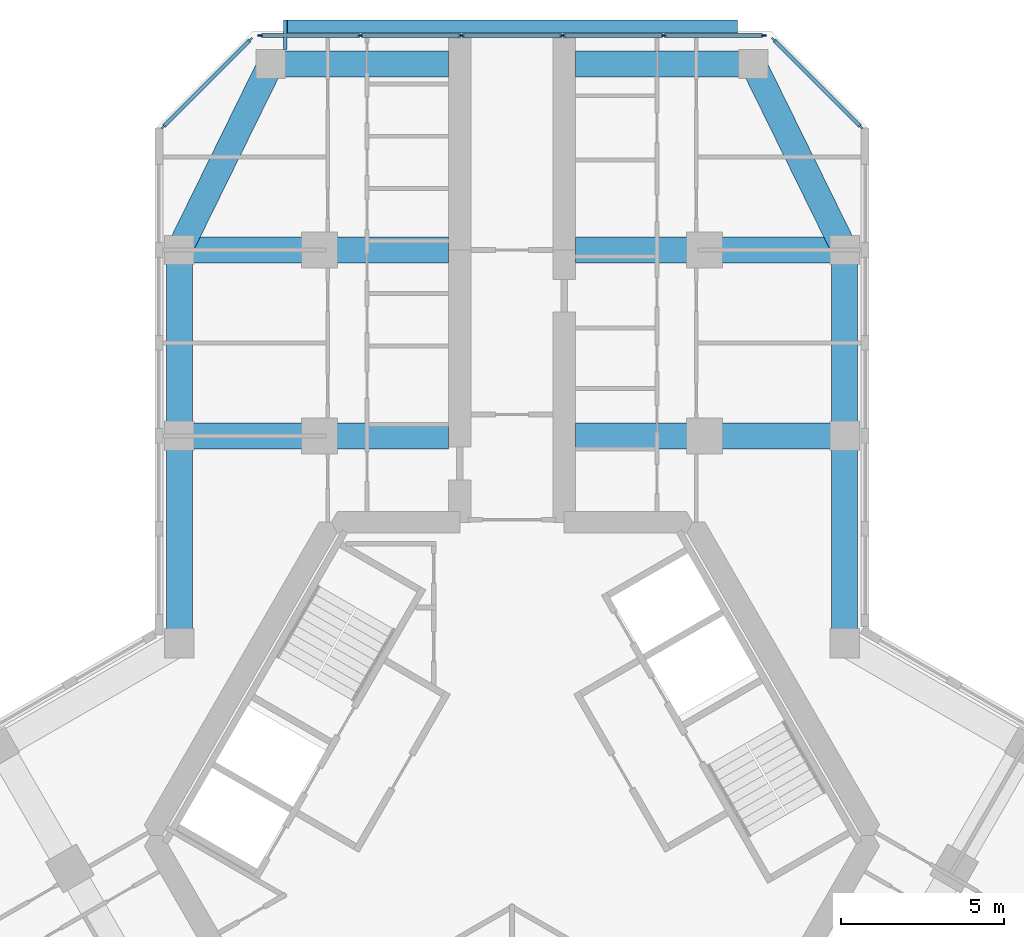
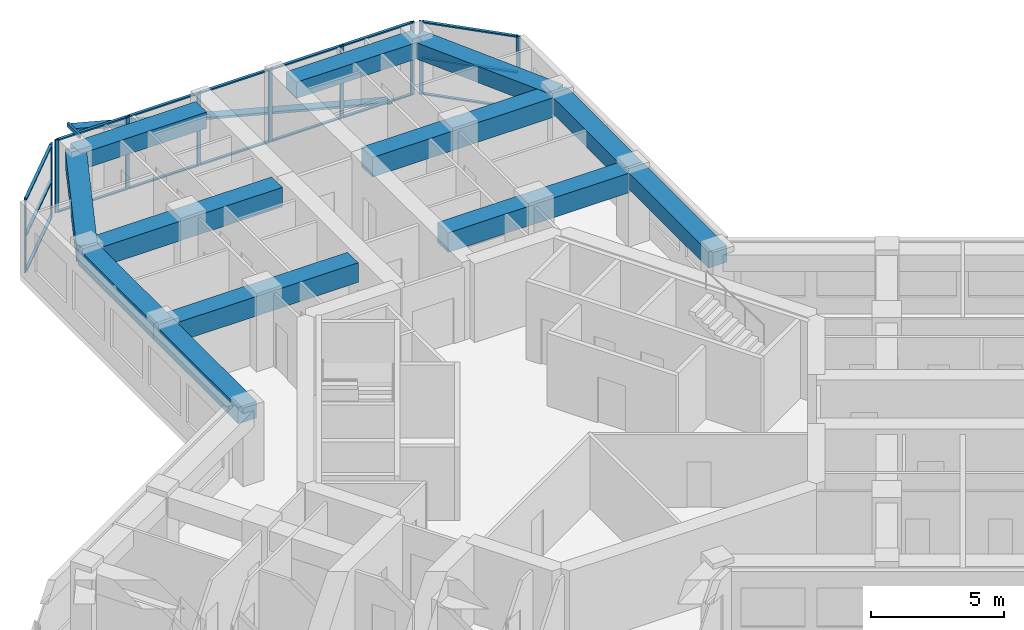
# One storey, part 6 of 16: 28 members, 12 beams, 3 elements without a shape of their own.
"""IFC4 building model written with IfcOpenShell, lengths in metres."""

from ifc_helpers import new_model, si_unit, direction, frame, origin, origin_2d, place, context, subcontext, project, spatial, rectangle, hollow_rectangle, extrude, material, material_profile, profile_set, type_object, element, aggregate, save


model = new_model("IFC4")

# Units and contexts
model_context = context("Model", 3, precision=1e-05, world=origin(), true_north=direction((0.0, 1.0)))
body_context = subcontext(model_context, "Body", "Model", "MODEL_VIEW")
ifc_project = project(units=[si_unit("LENGTHUNIT", "METRE"), si_unit("AREAUNIT", "SQUARE_METRE"), si_unit("VOLUMEUNIT", "CUBIC_METRE"), si_unit("PLANEANGLEUNIT", "RADIAN"), si_unit("MASSUNIT", "GRAM", prefix="KILO")], contexts=[model_context])

# Site, building, storey
site_placement = place(None, origin())
site = spatial("IfcSite", under=ifc_project, at=site_placement, CompositionType="ELEMENT")
building_placement = place(site_placement, origin())
building = spatial("IfcBuilding", under=site, at=building_placement, Name="Kosmar Iwan School Tower", CompositionType="ELEMENT")
storey_placement = place(building_placement, frame((0.0, 0.0, 215.39990234375)))
storey = spatial("IfcBuildingStorey", under=building, at=storey_placement, Name="L54", CompositionType="ELEMENT", Elevation=215.39990234375)

# Members
ifc_material_1 = material(Name="Black anodised aluminium", Category="aluminium")
ifc_material_profile_1 = material_profile(ifc_material_1, rectangle(XDim=0.10009765625, YDim=0.39990234375, at=origin_2d()), Name="FIN 100x400")
ifc_profile_set_1 = profile_set([ifc_material_profile_1], Name="Black anodised aluminium")
member_type_1 = type_object("IfcMemberType", Name="Diagonal fin 100x400", PredefinedType="USERDEFINED", material=ifc_profile_set_1)
member_1_placement = place(storey_placement, frame((6.898193359375, 24.800048828125, -0.14990234375), z_axis=(-0.967599450335, 0.0, 0.252490205179), x_axis=(0.252490205179, 0.0, 0.967599450335)))
element("IfcMember", 1, at=member_1_placement, inside=storey, type_object=member_type_1, Name="Diagonal fin L54-F06", ObjectType="FIN", PredefinedType="USERDEFINED", context=body_context, shape_type="SweptSolid", body=[
    extrude(rectangle(XDim=0.10009765625, YDim=0.39990234375, at=origin_2d()), origin(), (0.0, 0.0, 1.0), 14.25830078125),
])
ifc_material_2 = material(Name="Steel S355", Category="steel")
ifc_material_profile_2 = material_profile(ifc_material_2, hollow_rectangle(XDim=0.10009765625, YDim=0.199951171875, WallThickness=0.008056640625, at=origin_2d()), Name="RHS 200x100x8")
ifc_profile_set_2 = profile_set([ifc_material_profile_2], Name="Steel S355")
member_type_2 = type_object("IfcMemberType", Name="Fin bracket RHS 200x100", PredefinedType="USERDEFINED", material=ifc_profile_set_2)
member_2_placement = place(storey_placement, frame((-6.949951171875, 24.10009765625, 3.47509765625), z_axis=(0.0, 1.0, 0.0), x_axis=(-1.0, 0.0, 0.0)))
element("IfcMember", 2, at=member_2_placement, inside=storey, type_object=member_type_2, Name="Fin bracket L55", ObjectType="FIN BRACKET", PredefinedType="USERDEFINED", context=body_context, shape_type="SweptSolid", body=[
    extrude(hollow_rectangle(XDim=0.10009765625, YDim=0.199951171875, WallThickness=0.008056640625, at=origin_2d()), origin(), (0.0, 0.0, 1.0), 0.89990234375),
])

# Curtain wall, members
ifc_material_3 = material(Name="Dark glass in black aluminium frame", Category="aluminium")
curtain_wall_type_1 = type_object("IfcCurtainWallType", Name="Chamfer curtain wall dark glass", PredefinedType="USERDEFINED", material=ifc_material_3)
curtain_wall_1_placement = place(storey_placement, origin())
curtain_wall_1 = element("IfcCurtainWall", 3, at=curtain_wall_1_placement, inside=storey, type_object=curtain_wall_type_1, Name="Curtain wall L54-F05", ObjectType="FACETED CURTAIN WALL", PredefinedType="USERDEFINED")
ifc_material_4 = material(Name="Black anodised aluminium", Category="aluminium")
ifc_material_profile_3 = material_profile(ifc_material_4, rectangle(XDim=0.06005859375, YDim=0.159912109375, at=origin_2d()), Name="MULLION 60x160")
ifc_profile_set_3 = profile_set([ifc_material_profile_3], Name="Black anodised aluminium")
member_type_3 = type_object("IfcMemberType", Name="Mullion 60x160", PredefinedType="MULLION", material=ifc_profile_set_3)
member_3_placement = place(storey_placement, frame((10.69775390625, 21.7255859375, 0.0), z_axis=(0.0, 0.0, 1.0), x_axis=(-0.707106781187, -0.707106781187, 0.0)))
member_3 = element("IfcMember", 4, at=member_3_placement, type_object=member_type_3, Name="CW2 mullion 1", PredefinedType="MULLION", context=body_context, shape_type="SweptSolid", body=[
    extrude(rectangle(XDim=0.06005859375, YDim=0.159912109375, at=origin_2d()), origin(), (0.0, 0.0, 1.0), 3.35009765625),
])
member_4_placement = place(storey_placement, frame((8.025390625, 24.397705078125, 0.0), z_axis=(0.0, 0.0, 1.0), x_axis=(-0.707106781187, -0.707106781187, 0.0)))
member_4 = element("IfcMember", 5, at=member_4_placement, type_object=member_type_3, Name="CW2 mullion 2", PredefinedType="MULLION", context=body_context, shape_type="SweptSolid", body=[
    extrude(rectangle(XDim=0.06005859375, YDim=0.159912109375, at=origin_2d()), origin(), (0.0, 0.0, 1.0), 3.35009765625),
])

ifc_material_5 = material(Name="Dark glass in black aluminium frame", Category="aluminium")
curtain_wall_type_2 = type_object("IfcCurtainWallType", Name="Tower curtain wall dark glass", PredefinedType="USERDEFINED", material=ifc_material_5)
curtain_wall_2_placement = place(storey_placement, origin())
curtain_wall_2 = element("IfcCurtainWall", 6, at=curtain_wall_2_placement, inside=storey, type_object=curtain_wall_type_2, Name="Curtain wall L54-F06", ObjectType="UNITISED CURTAIN WALL", PredefinedType="USERDEFINED")
member_5_placement = place(storey_placement, frame((7.71826171875, 24.52490234375, 0.0), z_axis=(0.0, 0.0, 1.0), x_axis=(0.0, -1.0, 0.0)))
member_5 = element("IfcMember", 7, at=member_5_placement, type_object=member_type_3, Name="CW1 mullion 1", PredefinedType="MULLION", context=body_context, shape_type="SweptSolid", body=[
    extrude(rectangle(XDim=0.06005859375, YDim=0.159912109375, at=origin_2d()), origin(), (0.0, 0.0, 1.0), 3.35009765625),
])
member_6_placement = place(storey_placement, frame((4.64892578125, 24.52490234375, 0.0), z_axis=(0.0, 0.0, 1.0), x_axis=(0.0, -1.0, 0.0)))
member_6 = element("IfcMember", 8, at=member_6_placement, type_object=member_type_3, Name="CW1 mullion 2", PredefinedType="MULLION", context=body_context, shape_type="SweptSolid", body=[
    extrude(rectangle(XDim=0.06005859375, YDim=0.159912109375, at=origin_2d()), origin(), (0.0, 0.0, 1.0), 3.35009765625),
])
member_7_placement = place(storey_placement, frame((1.549560546875, 24.52490234375, 0.0), z_axis=(0.0, 0.0, 1.0), x_axis=(0.0, -1.0, 0.0)))
member_7 = element("IfcMember", 9, at=member_7_placement, type_object=member_type_3, Name="CW1 mullion 3", PredefinedType="MULLION", context=body_context, shape_type="SweptSolid", body=[
    extrude(rectangle(XDim=0.06005859375, YDim=0.159912109375, at=origin_2d()), origin(), (0.0, 0.0, 1.0), 3.35009765625),
])
member_8_placement = place(storey_placement, frame((-1.549560546875, 24.52490234375, 0.0), z_axis=(0.0, 0.0, 1.0), x_axis=(0.0, -1.0, 0.0)))
member_8 = element("IfcMember", 10, at=member_8_placement, type_object=member_type_3, Name="CW1 mullion 4", PredefinedType="MULLION", context=body_context, shape_type="SweptSolid", body=[
    extrude(rectangle(XDim=0.06005859375, YDim=0.159912109375, at=origin_2d()), origin(), (0.0, 0.0, 1.0), 3.35009765625),
])
member_9_placement = place(storey_placement, frame((-4.64892578125, 24.52490234375, 0.0), z_axis=(0.0, 0.0, 1.0), x_axis=(0.0, -1.0, 0.0)))
member_9 = element("IfcMember", 11, at=member_9_placement, type_object=member_type_3, Name="CW1 mullion 5", PredefinedType="MULLION", context=body_context, shape_type="SweptSolid", body=[
    extrude(rectangle(XDim=0.06005859375, YDim=0.159912109375, at=origin_2d()), origin(), (0.0, 0.0, 1.0), 3.35009765625),
])
member_10_placement = place(storey_placement, frame((-7.71826171875, 24.52490234375, 0.0), z_axis=(0.0, 0.0, 1.0), x_axis=(0.0, -1.0, 0.0)))
member_10 = element("IfcMember", 12, at=member_10_placement, type_object=member_type_3, Name="CW1 mullion 6", PredefinedType="MULLION", context=body_context, shape_type="SweptSolid", body=[
    extrude(rectangle(XDim=0.06005859375, YDim=0.159912109375, at=origin_2d()), origin(), (0.0, 0.0, 1.0), 3.35009765625),
])

curtain_wall_3_placement = place(storey_placement, origin())
curtain_wall_3 = element("IfcCurtainWall", 13, at=curtain_wall_3_placement, inside=storey, type_object=curtain_wall_type_1, Name="Curtain wall L54-F07", ObjectType="FACETED CURTAIN WALL", PredefinedType="USERDEFINED")
member_11_placement = place(storey_placement, frame((-8.025390625, 24.397705078125, 0.0), z_axis=(0.0, 0.0, 1.0), x_axis=(0.707106781187, -0.707106781187, 0.0)))
member_11 = element("IfcMember", 14, at=member_11_placement, type_object=member_type_3, Name="CW2 mullion 1", PredefinedType="MULLION", context=body_context, shape_type="SweptSolid", body=[
    extrude(rectangle(XDim=0.06005859375, YDim=0.159912109375, at=origin_2d()), origin(), (0.0, 0.0, 1.0), 3.35009765625),
])
member_12_placement = place(storey_placement, frame((-10.69775390625, 21.7255859375, 0.0), z_axis=(0.0, 0.0, 1.0), x_axis=(0.707106781187, -0.707106781187, 0.0)))
member_12 = element("IfcMember", 15, at=member_12_placement, type_object=member_type_3, Name="CW2 mullion 2", PredefinedType="MULLION", context=body_context, shape_type="SweptSolid", body=[
    extrude(rectangle(XDim=0.06005859375, YDim=0.159912109375, at=origin_2d()), origin(), (0.0, 0.0, 1.0), 3.35009765625),
])

# Beams
ifc_material_6 = material(Name="Concrete C50/60", Category="concrete")
ifc_material_profile_4 = material_profile(ifc_material_6, rectangle(XDim=0.800048828125, YDim=0.75, at=origin_2d()), Name="RC 800x750")
ifc_profile_set_4 = profile_set([ifc_material_profile_4], Name="Concrete C50/60")
beam_type_1 = type_object("IfcBeamType", Name="RC edge beam 800x750", PredefinedType="BEAM", material=ifc_profile_set_4)
beam_1_placement = place(storey_placement, frame((-10.199951171875, 5.888916015625, 2.97509765625), z_axis=(0.0, 1.0, 0.0), x_axis=(-1.0, 0.0, 0.0)))
element("IfcBeam", 16, at=beam_1_placement, inside=storey, type_object=beam_type_1, Name="Edge beam AL1", PredefinedType="BEAM", context=body_context, shape_type="SweptSolid", body=[
    extrude(rectangle(XDim=0.800048828125, YDim=0.75, at=origin_2d()), origin(), (0.0, 0.0, 1.0), 6.361083984375),
])
beam_2_placement = place(storey_placement, frame((-10.199951171875, 12.25, 2.97509765625), z_axis=(0.0, 1.0, 0.0), x_axis=(-1.0, 0.0, 0.0)))
element("IfcBeam", 17, at=beam_2_placement, inside=storey, type_object=beam_type_1, Name="Edge beam AL2", PredefinedType="BEAM", context=body_context, shape_type="SweptSolid", body=[
    extrude(rectangle(XDim=0.800048828125, YDim=0.75, at=origin_2d()), origin(), (0.0, 0.0, 1.0), 5.699951171875),
])
beam_3_placement = place(storey_placement, frame((10.199951171875, 5.888916015625, 2.97509765625), z_axis=(0.0, 1.0, 0.0), x_axis=(-1.0, 0.0, 0.0)))
element("IfcBeam", 18, at=beam_3_placement, inside=storey, type_object=beam_type_1, Name="Edge beam AR1", PredefinedType="BEAM", context=body_context, shape_type="SweptSolid", body=[
    extrude(rectangle(XDim=0.800048828125, YDim=0.75, at=origin_2d()), origin(), (0.0, 0.0, 1.0), 6.361083984375),
])
beam_4_placement = place(storey_placement, frame((10.199951171875, 12.25, 2.97509765625), z_axis=(0.0, 1.0, 0.0), x_axis=(-1.0, 0.0, 0.0)))
element("IfcBeam", 19, at=beam_4_placement, inside=storey, type_object=beam_type_1, Name="Edge beam AR2", PredefinedType="BEAM", context=body_context, shape_type="SweptSolid", body=[
    extrude(rectangle(XDim=0.800048828125, YDim=0.75, at=origin_2d()), origin(), (0.0, 0.0, 1.0), 5.699951171875),
])
ifc_material_7 = material(Name="Concrete C50/60", Category="concrete")
ifc_material_profile_5 = material_profile(ifc_material_7, rectangle(XDim=0.800048828125, YDim=0.75, at=origin_2d()), Name="RC 800x750")
ifc_profile_set_5 = profile_set([ifc_material_profile_5], Name="Concrete C50/60")
beam_type_2 = type_object("IfcBeamType", Name="RC tip beam 800x750", PredefinedType="BEAM", material=ifc_profile_set_5)
beam_5_placement = place(storey_placement, frame((-10.199951171875, 17.949951171875, 2.97509765625), z_axis=(0.440913116462, 0.897549788999, 0.0), x_axis=(-0.897549788999, 0.440913116462, 0.0)))
element("IfcBeam", 20, at=beam_5_placement, inside=storey, type_object=beam_type_2, Name="Tip beam AL", PredefinedType="BEAM", context=body_context, shape_type="SweptSolid", body=[
    extrude(rectangle(XDim=0.800048828125, YDim=0.75, at=origin_2d()), origin(), (0.0, 0.0, 1.0), 6.3505859375),
])
beam_6_placement = place(storey_placement, frame((-7.39990234375, 23.64990234375, 2.97509765625), z_axis=(1.0, 0.0, 0.0), x_axis=(0.0, 1.0, 0.0)))
element("IfcBeam", 21, at=beam_6_placement, inside=storey, type_object=beam_type_2, Name="Tip beam AL to corridor wall", PredefinedType="BEAM", context=body_context, shape_type="SweptSolid", body=[
    extrude(rectangle(XDim=0.800048828125, YDim=0.75, at=origin_2d()), origin(), (0.0, 0.0, 1.0), 5.449951171875),
])
beam_7_placement = place(storey_placement, frame((10.199951171875, 17.949951171875, 2.97509765625), z_axis=(-0.440913116462, 0.897549788999, 0.0), x_axis=(-0.897549788999, -0.440913116462, 0.0)))
element("IfcBeam", 22, at=beam_7_placement, inside=storey, type_object=beam_type_2, Name="Tip beam AR", PredefinedType="BEAM", context=body_context, shape_type="SweptSolid", body=[
    extrude(rectangle(XDim=0.800048828125, YDim=0.75, at=origin_2d()), origin(), (0.0, 0.0, 1.0), 6.3505859375),
])
beam_8_placement = place(storey_placement, frame((7.39990234375, 23.64990234375, 2.97509765625), z_axis=(-1.0, 0.0, 0.0), x_axis=(0.0, -1.0, 0.0)))
element("IfcBeam", 23, at=beam_8_placement, inside=storey, type_object=beam_type_2, Name="Tip beam AR to corridor wall", PredefinedType="BEAM", context=body_context, shape_type="SweptSolid", body=[
    extrude(rectangle(XDim=0.800048828125, YDim=0.75, at=origin_2d()), origin(), (0.0, 0.0, 1.0), 5.449951171875),
])
ifc_material_8 = material(Name="Concrete C50/60", Category="concrete")
ifc_material_profile_6 = material_profile(ifc_material_8, rectangle(XDim=0.800048828125, YDim=0.89990234375, at=origin_2d()), Name="RC 800x900")
ifc_profile_set_6 = profile_set([ifc_material_profile_6], Name="Concrete C50/60")
beam_type_3 = type_object("IfcBeamType", Name="RC transverse beam 800x900", PredefinedType="BEAM", material=ifc_profile_set_6)
for number, where, z_axis, x_axis, name in (
    (24, (-10.199951171875, 12.25, 2.900146484375), (1.0, 0.0, 0.0), (0.0, 1.0, 0.0), "Transverse beam AL1"),
    (25, (-10.199951171875, 17.949951171875, 2.900146484375), (1.0, 0.0, 0.0), (0.0, 1.0, 0.0), "Transverse beam AL2"),
    (26, (10.199951171875, 12.25, 2.900146484375), (-1.0, 0.0, 0.0), (0.0, -1.0, 0.0), "Transverse beam AR1"),
    (27, (10.199951171875, 17.949951171875, 2.900146484375), (-1.0, 0.0, 0.0), (0.0, -1.0, 0.0), "Transverse beam AR2"),
):
    element("IfcBeam", number, at=place(storey_placement, frame(where, z_axis=z_axis, x_axis=x_axis)), inside=storey, type_object=beam_type_3, Name=name, PredefinedType="BEAM", context=body_context, shape_type="SweptSolid", body=[
        extrude(rectangle(XDim=0.800048828125, YDim=0.89990234375, at=origin_2d()), origin(), (0.0, 0.0, 1.0), 8.25),
    ])

# Member
ifc_material_9 = material(Name="Black anodised aluminium", Category="aluminium")
ifc_material_profile_7 = material_profile(ifc_material_9, rectangle(XDim=0.1201171875, YDim=0.06005859375, at=origin_2d()), Name="TRANSOM 60x120")
ifc_profile_set_7 = profile_set([ifc_material_profile_7], Name="Black anodised aluminium")
member_type_4 = type_object("IfcMemberType", Name="Transom 60x120", PredefinedType="USERDEFINED", material=ifc_profile_set_7)
member_13_placement = place(storey_placement, frame((10.676513671875, 21.746826171875, 0.030029296875), z_axis=(-0.707139603466, 0.707073957383, 0.0), x_axis=(-0.707073957383, -0.707139603466, 0.0)))
member_13 = element("IfcMember", 28, at=member_13_placement, type_object=member_type_4, Name="CW2 transom 1.1", ObjectType="TRANSOM", PredefinedType="USERDEFINED", context=body_context, shape_type="SweptSolid", body=[
    extrude(rectangle(XDim=0.1201171875, YDim=0.06005859375, at=origin_2d()), origin(), (0.0, 0.0, 1.0), 3.718994140625),
])

member_14_placement = place(storey_placement, frame((10.676513671875, 21.746826171875, 1.675048828125), z_axis=(-0.707139603466, 0.707073957383, 0.0), x_axis=(-0.707073957383, -0.707139603466, 0.0)))
member_14 = element("IfcMember", 29, at=member_14_placement, type_object=member_type_4, Name="CW2 transom 1.2", ObjectType="TRANSOM", PredefinedType="USERDEFINED", context=body_context, shape_type="SweptSolid", body=[
    extrude(rectangle(XDim=0.1201171875, YDim=0.06005859375, at=origin_2d()), origin(), (0.0, 0.0, 1.0), 3.718994140625),
])

member_15_placement = place(storey_placement, frame((10.676513671875, 21.746826171875, 3.320068359375), z_axis=(-0.707139603466, 0.707073957383, 0.0), x_axis=(-0.707073957383, -0.707139603466, 0.0)))
member_15 = element("IfcMember", 30, at=member_15_placement, type_object=member_type_4, Name="CW2 transom 1.3", ObjectType="TRANSOM", PredefinedType="USERDEFINED", context=body_context, shape_type="SweptSolid", body=[
    extrude(rectangle(XDim=0.1201171875, YDim=0.06005859375, at=origin_2d()), origin(), (0.0, 0.0, 1.0), 3.718994140625),
])

aggregate(curtain_wall_1, [member_3, member_4, member_13, member_14, member_15])

member_16_placement = place(storey_placement, frame((7.688232421875, 24.52490234375, 0.030029296875), z_axis=(-1.0, 0.0, 0.0), x_axis=(0.0, -1.0, 0.0)))
member_16 = element("IfcMember", 31, at=member_16_placement, type_object=member_type_4, Name="CW1 transom 1.1", ObjectType="TRANSOM", PredefinedType="USERDEFINED", context=body_context, shape_type="SweptSolid", body=[
    extrude(rectangle(XDim=0.1201171875, YDim=0.06005859375, at=origin_2d()), origin(), (0.0, 0.0, 1.0), 3.00927734375),
])

member_17_placement = place(storey_placement, frame((7.688232421875, 24.52490234375, 3.320068359375), z_axis=(-1.0, 0.0, 0.0), x_axis=(0.0, -1.0, 0.0)))
member_17 = element("IfcMember", 32, at=member_17_placement, type_object=member_type_4, Name="CW1 transom 1.2", ObjectType="TRANSOM", PredefinedType="USERDEFINED", context=body_context, shape_type="SweptSolid", body=[
    extrude(rectangle(XDim=0.1201171875, YDim=0.06005859375, at=origin_2d()), origin(), (0.0, 0.0, 1.0), 3.00927734375),
])

member_18_placement = place(storey_placement, frame((4.618896484375, 24.52490234375, 0.030029296875), z_axis=(-1.0, 0.0, 0.0), x_axis=(0.0, -1.0, 0.0)))
member_18 = element("IfcMember", 33, at=member_18_placement, type_object=member_type_4, Name="CW1 transom 2.1", ObjectType="TRANSOM", PredefinedType="USERDEFINED", context=body_context, shape_type="SweptSolid", body=[
    extrude(rectangle(XDim=0.1201171875, YDim=0.06005859375, at=origin_2d()), origin(), (0.0, 0.0, 1.0), 3.039306640625),
])

member_19_placement = place(storey_placement, frame((4.618896484375, 24.52490234375, 3.320068359375), z_axis=(-1.0, 0.0, 0.0), x_axis=(0.0, -1.0, 0.0)))
member_19 = element("IfcMember", 34, at=member_19_placement, type_object=member_type_4, Name="CW1 transom 2.2", ObjectType="TRANSOM", PredefinedType="USERDEFINED", context=body_context, shape_type="SweptSolid", body=[
    extrude(rectangle(XDim=0.1201171875, YDim=0.06005859375, at=origin_2d()), origin(), (0.0, 0.0, 1.0), 3.039306640625),
])

member_20_placement = place(storey_placement, frame((1.51953125, 24.52490234375, 0.030029296875), z_axis=(-1.0, 0.0, 0.0), x_axis=(0.0, -1.0, 0.0)))
member_20 = element("IfcMember", 35, at=member_20_placement, type_object=member_type_4, Name="CW1 transom 3.1", ObjectType="TRANSOM", PredefinedType="USERDEFINED", context=body_context, shape_type="SweptSolid", body=[
    extrude(rectangle(XDim=0.1201171875, YDim=0.06005859375, at=origin_2d()), origin(), (0.0, 0.0, 1.0), 3.0390625),
])

member_21_placement = place(storey_placement, frame((1.51953125, 24.52490234375, 3.320068359375), z_axis=(-1.0, 0.0, 0.0), x_axis=(0.0, -1.0, 0.0)))
member_21 = element("IfcMember", 36, at=member_21_placement, type_object=member_type_4, Name="CW1 transom 3.2", ObjectType="TRANSOM", PredefinedType="USERDEFINED", context=body_context, shape_type="SweptSolid", body=[
    extrude(rectangle(XDim=0.1201171875, YDim=0.06005859375, at=origin_2d()), origin(), (0.0, 0.0, 1.0), 3.0390625),
])

member_22_placement = place(storey_placement, frame((-1.57958984375, 24.52490234375, 0.030029296875), z_axis=(-1.0, 0.0, 0.0), x_axis=(0.0, -1.0, 0.0)))
member_22 = element("IfcMember", 37, at=member_22_placement, type_object=member_type_4, Name="CW1 transom 4.1", ObjectType="TRANSOM", PredefinedType="USERDEFINED", context=body_context, shape_type="SweptSolid", body=[
    extrude(rectangle(XDim=0.1201171875, YDim=0.06005859375, at=origin_2d()), origin(), (0.0, 0.0, 1.0), 3.039306640625),
])

member_23_placement = place(storey_placement, frame((-1.57958984375, 24.52490234375, 3.320068359375), z_axis=(-1.0, 0.0, 0.0), x_axis=(0.0, -1.0, 0.0)))
member_23 = element("IfcMember", 38, at=member_23_placement, type_object=member_type_4, Name="CW1 transom 4.2", ObjectType="TRANSOM", PredefinedType="USERDEFINED", context=body_context, shape_type="SweptSolid", body=[
    extrude(rectangle(XDim=0.1201171875, YDim=0.06005859375, at=origin_2d()), origin(), (0.0, 0.0, 1.0), 3.039306640625),
])

member_24_placement = place(storey_placement, frame((-4.678955078125, 24.52490234375, 0.030029296875), z_axis=(-1.0, 0.0, 0.0), x_axis=(0.0, -1.0, 0.0)))
member_24 = element("IfcMember", 39, at=member_24_placement, type_object=member_type_4, Name="CW1 transom 5.1", ObjectType="TRANSOM", PredefinedType="USERDEFINED", context=body_context, shape_type="SweptSolid", body=[
    extrude(rectangle(XDim=0.1201171875, YDim=0.06005859375, at=origin_2d()), origin(), (0.0, 0.0, 1.0), 3.00927734375),
])

member_25_placement = place(storey_placement, frame((-4.678955078125, 24.52490234375, 3.320068359375), z_axis=(-1.0, 0.0, 0.0), x_axis=(0.0, -1.0, 0.0)))
member_25 = element("IfcMember", 40, at=member_25_placement, type_object=member_type_4, Name="CW1 transom 5.2", ObjectType="TRANSOM", PredefinedType="USERDEFINED", context=body_context, shape_type="SweptSolid", body=[
    extrude(rectangle(XDim=0.1201171875, YDim=0.06005859375, at=origin_2d()), origin(), (0.0, 0.0, 1.0), 3.00927734375),
])

aggregate(curtain_wall_2, [member_5, member_6, member_7, member_8, member_9, member_10, member_16, member_17, member_18, member_19, member_20, member_21, member_22, member_23, member_24, member_25])

member_26_placement = place(storey_placement, frame((-8.046630859375, 24.37646484375, 0.030029296875), z_axis=(-0.707139603466, -0.707073957383, 0.0), x_axis=(0.707073957383, -0.707139603466, 0.0)))
member_26 = element("IfcMember", 41, at=member_26_placement, type_object=member_type_4, Name="CW2 transom 1.1", ObjectType="TRANSOM", PredefinedType="USERDEFINED", context=body_context, shape_type="SweptSolid", body=[
    extrude(rectangle(XDim=0.1201171875, YDim=0.06005859375, at=origin_2d()), origin(), (0.0, 0.0, 1.0), 3.718994140625),
])

member_27_placement = place(storey_placement, frame((-8.046630859375, 24.37646484375, 1.675048828125), z_axis=(-0.707139603466, -0.707073957383, 0.0), x_axis=(0.707073957383, -0.707139603466, 0.0)))
member_27 = element("IfcMember", 42, at=member_27_placement, type_object=member_type_4, Name="CW2 transom 1.2", ObjectType="TRANSOM", PredefinedType="USERDEFINED", context=body_context, shape_type="SweptSolid", body=[
    extrude(rectangle(XDim=0.1201171875, YDim=0.06005859375, at=origin_2d()), origin(), (0.0, 0.0, 1.0), 3.718994140625),
])

member_28_placement = place(storey_placement, frame((-8.046630859375, 24.37646484375, 3.320068359375), z_axis=(-0.707139603466, -0.707073957383, 0.0), x_axis=(0.707073957383, -0.707139603466, 0.0)))
member_28 = element("IfcMember", 43, at=member_28_placement, type_object=member_type_4, Name="CW2 transom 1.3", ObjectType="TRANSOM", PredefinedType="USERDEFINED", context=body_context, shape_type="SweptSolid", body=[
    extrude(rectangle(XDim=0.1201171875, YDim=0.06005859375, at=origin_2d()), origin(), (0.0, 0.0, 1.0), 3.718994140625),
])

aggregate(curtain_wall_3, [member_11, member_12, member_26, member_27, member_28])

save(model, "model.ifc")
